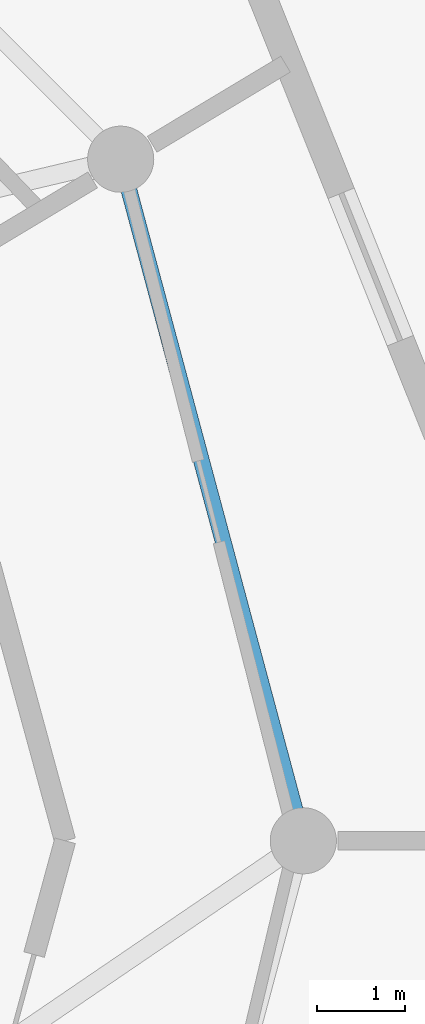
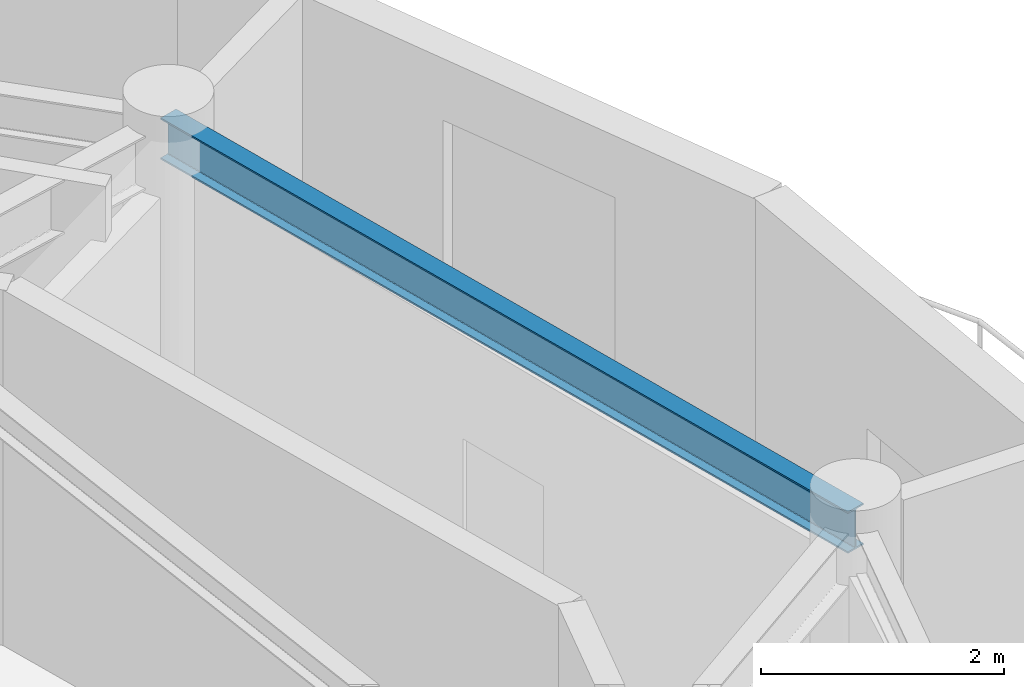
# One storey, part 13 of 22: 1 beam.
"""IFC4 building model written with IfcOpenShell, lengths in metres."""

import ifcopenshell
import ifcopenshell.guid

model = None  # the IFC model being written
_history = None  # IfcOwnerHistory: only IFC2X3 demands one
_inside = {}  # id of a spatial element -> (the spatial element, [elements in it])
_under = {}  # id of a project, library or spatial element -> (it, [spatial elements below it])
_declared = {}  # id of a project -> (the project, [libraries it declares])
_typed = {}  # id of a type object -> (the type object, [elements of that type])
_made_of = {}  # id of a material, layer set ... -> (it, [elements and type objects made of it])


def new_model(schema):
    """Start an empty IFC model of exactly this schema.

    Asked for "IFC4X3", IfcOpenShell would pick the latest addendum, in which some entities
    have other attributes; the version numbers below select the first issue.
    IFC2X3 requires an IfcOwnerHistory on every rooted entity: one is made here for all.
    """
    global model, _history
    if schema == "IFC4X3":
        model = ifcopenshell.file(schema_version=(4, 3, 0, 0))
    else:
        model = ifcopenshell.file(schema=schema)
    _inside.clear()
    _under.clear()
    _declared.clear()
    _typed.clear()
    _made_of.clear()
    _history = None
    if model.schema == "IFC2X3":
        org = make("IfcOrganization", Name="unknown")
        user = make(
            "IfcPersonAndOrganization",
            ThePerson=make("IfcPerson", FamilyName="unknown"),
            TheOrganization=org,
        )
        app = make(
            "IfcApplication",
            ApplicationDeveloper=org,
            Version="unknown",
            ApplicationFullName="unknown",
            ApplicationIdentifier="unknown",
        )
        _history = make(
            "IfcOwnerHistory",
            OwningUser=user,
            OwningApplication=app,
            ChangeAction="ADDED",
            CreationDate=0,
        )
    return model


def make(cls, **values):
    """One entity of the class cls with the attributes given. An attribute that is None is left unset."""
    return model.create_entity(
        cls, **{name: value for name, value in values.items() if value is not None}
    )


def rooted(cls, **values):
    """An entity with a GlobalId (a new one), such as an element, a storey or a relation."""
    return make(cls, GlobalId=ifcopenshell.guid.new(), OwnerHistory=_history, **values)


def si_unit(unit_type, name, prefix=None):
    """IfcSIUnit, for example si_unit("LENGTHUNIT", "METRE", prefix="MILLI")."""
    return make("IfcSIUnit", UnitType=unit_type, Prefix=prefix, Name=name)


def assignment(units):
    """IfcUnitAssignment: the units of a project."""
    return None if units is None else make("IfcUnitAssignment", Units=units)


def point(xyz):
    """IfcCartesianPoint."""
    return None if xyz is None else make("IfcCartesianPoint", Coordinates=xyz)


def direction(xyz):
    """IfcDirection."""
    return None if xyz is None else make("IfcDirection", DirectionRatios=xyz)


def frame(location, z_axis=None, x_axis=None):
    """IfcAxis2Placement3D, a coordinate frame: its origin and axes. An axis left out is left unset."""
    return make(
        "IfcAxis2Placement3D",
        Location=point(location),
        Axis=direction(z_axis),
        RefDirection=direction(x_axis),
    )


def frame_2d(location, x_axis=None):
    """IfcAxis2Placement2D, a coordinate frame in the plane: its origin and x axis."""
    return make(
        "IfcAxis2Placement2D", Location=point(location), RefDirection=direction(x_axis)
    )


def origin():
    """The frame at (0, 0, 0) with its axes left unset."""
    return frame((0.0, 0.0, 0.0))


def origin_2d():
    """The frame at (0, 0) in the plane with its x axis left unset."""
    return frame_2d((0.0, 0.0))


def place(relative_to, where):
    """IfcLocalPlacement: puts the frame where relative to a parent placement (None: the world)."""
    return make(
        "IfcLocalPlacement", PlacementRelTo=relative_to, RelativePlacement=where
    )


def context(
    kind, dimensions, precision=None, world=None, true_north=None, identifier=None
):
    """IfcGeometricRepresentationContext, for example the 3D "Model" context."""
    return make(
        "IfcGeometricRepresentationContext",
        ContextIdentifier=identifier,
        ContextType=kind,
        CoordinateSpaceDimension=dimensions,
        Precision=precision,
        WorldCoordinateSystem=world,
        TrueNorth=true_north,
    )


def subcontext(parent, identifier, kind, view, scale=None):
    """IfcGeometricRepresentationSubContext, for example "Body" below "Model"."""
    return make(
        "IfcGeometricRepresentationSubContext",
        ContextIdentifier=identifier,
        ContextType=kind,
        ParentContext=parent,
        TargetScale=scale,
        TargetView=view,
    )


def project(units=None, contexts=None):
    """IfcProject with its units and contexts."""
    return rooted(
        "IfcProject",
        Name="project",
        RepresentationContexts=contexts,
        UnitsInContext=assignment(units),
    )


def spatial(cls, under=None, at=None, **own):
    """A site, building, storey or space (cls), placed at a placement, below another one or the project."""
    s = rooted(cls, ObjectPlacement=at, **own)
    if under is not None:
        _under.setdefault(under.id(), (under, []))[1].append(s)
    return s


def profile(cls, at=None, kind="AREA", **sizes):
    """A parametric profile (cls). Its sizes go by their IFC names, for example OverallWidth=200.0."""
    return make(cls, ProfileType=kind, Position=at, **sizes)


def i_section(**sizes):
    """IfcIShapeProfileDef."""
    return profile("IfcIShapeProfileDef", **sizes)


def extrude(swept, where, along, depth):
    """IfcExtrudedAreaSolid: the profile swept, set in the frame where, extruded along a direction by depth."""
    return make(
        "IfcExtrudedAreaSolid",
        SweptArea=swept,
        Position=where,
        ExtrudedDirection=direction(along),
        Depth=depth,
    )


def shape(context_of_items, identifier, shape_type, items):
    """IfcShapeRepresentation: the items that make up one representation, for example the "Body"."""
    return make(
        "IfcShapeRepresentation",
        ContextOfItems=context_of_items,
        RepresentationIdentifier=identifier,
        RepresentationType=shape_type,
        Items=items,
    )


def material(Name=None, Category=None):
    """IfcMaterial."""
    return make("IfcMaterial", Name=Name, Category=Category)


def material_profile(
    of_material, cross_section, Name=None, Category=None, Priority=None
):
    """IfcMaterialProfile: a cross section and its material."""
    return make(
        "IfcMaterialProfile",
        Name=Name,
        Material=of_material,
        Profile=cross_section,
        Priority=Priority,
        Category=Category,
    )


def profile_set(profiles, Name=None, composite=None):
    """IfcMaterialProfileSet."""
    return make(
        "IfcMaterialProfileSet",
        Name=Name,
        MaterialProfiles=profiles,
        CompositeProfile=composite,
    )


def made_of(thing, what):
    """Note that an element or type object is made of a material, layer set ...; save() writes the relation."""
    if what is not None:
        _made_of.setdefault(what.id(), (what, []))[1].append(thing)
    return thing


def type_object(cls, material=None, **own):
    """A type object (cls), such as IfcWallType, which elements share."""
    return made_of(rooted(cls, **own), material)


def element(
    cls,
    number,
    at=None,
    inside=None,
    cuts=None,
    type_object=None,
    material=None,
    context=None,
    identifier="Body",
    shape_type=None,
    held_by="IfcProductDefinitionShape",
    body=None,
    shapes=None,
    **own,
):
    """One element of the class cls, such as IfcWall. Its Tag is "e" and its number.

    at: its placement. inside: the storey or other place that contains it. cuts: it is an
    opening in that element (IfcRelVoidsElement). A single representation is given by context,
    identifier, shape_type and body (its items); several are given by shapes. held_by: the class
    of the entity that holds the representations. save() writes the other relations.
    """
    e = rooted(cls, Tag="e%d" % number, ObjectPlacement=at, **own)
    if body is not None:
        shapes = [shape(context, identifier, shape_type, body)]
    if shapes is not None:
        e.Representation = make(held_by, Representations=shapes)
    if inside is not None:
        _inside.setdefault(inside.id(), (inside, []))[1].append(e)
    if cuts is not None:
        rooted(
            "IfcRelVoidsElement", RelatingBuildingElement=cuts, RelatedOpeningElement=e
        )
    if type_object is not None:
        _typed.setdefault(type_object.id(), (type_object, []))[1].append(e)
    return made_of(e, material)


def aggregate(whole, parts):
    """IfcRelAggregates: a whole, such as a stair, and the parts it consists of."""
    return rooted("IfcRelAggregates", RelatingObject=whole, RelatedObjects=parts)


def save(model, path):
    """Write the relations noted so far, then the file.

    IfcRelAggregates (storeys below a building ...), IfcRelContainedInSpatialStructure (elements
    in a storey), IfcRelDefinesByType, IfcRelAssociatesMaterial and IfcRelDeclares: one each for
    every whole, place, type object, material and project.
    """
    for whole, parts in _under.values():
        aggregate(whole, parts)
    for where, things in _inside.values():
        rooted(
            "IfcRelContainedInSpatialStructure",
            RelatedElements=things,
            RelatingStructure=where,
        )
    for kind, things in _typed.values():
        rooted("IfcRelDefinesByType", RelatedObjects=things, RelatingType=kind)
    for what, things in _made_of.values():
        rooted("IfcRelAssociatesMaterial", RelatedObjects=things, RelatingMaterial=what)
    for by, libraries in _declared.values():
        rooted("IfcRelDeclares", RelatingContext=by, RelatedDefinitions=libraries)
    model.write(path)


model = new_model("IFC4")

# Units and contexts
model_context = context("Model", 3, precision=1e-05, world=origin(), true_north=direction((0.0, 1.0)))
body_context = subcontext(model_context, "Body", "Model", "MODEL_VIEW")
ifc_project = project(units=[si_unit("LENGTHUNIT", "METRE"), si_unit("AREAUNIT", "SQUARE_METRE"), si_unit("VOLUMEUNIT", "CUBIC_METRE"), si_unit("PLANEANGLEUNIT", "RADIAN"), si_unit("MASSUNIT", "GRAM", prefix="KILO")], contexts=[model_context])

# Site, building, storey
site_placement = place(None, origin())
site = spatial("IfcSite", under=ifc_project, at=site_placement, CompositionType="ELEMENT")
building_placement = place(site_placement, origin())
building = spatial("IfcBuilding", under=site, at=building_placement, Name="Solvirekh Grand Hotel", CompositionType="ELEMENT")
storey_placement = place(building_placement, frame((0.0, 0.0, 239.199951171875)))
storey = spatial("IfcBuildingStorey", under=building, at=storey_placement, Name="L62", CompositionType="ELEMENT", Elevation=239.199951171875)

# Beam
ifc_material = material(Name="Steel S355", Category="steel")
ifc_material_profile = material_profile(ifc_material, i_section(OverallWidth=0.180908203125, OverallDepth=0.4169921875, WebThickness=0.010009765625, FlangeThickness=0.01611328125, FilletRadius=0.011962890625, at=origin_2d()), Name="W410X85")
ifc_profile_set = profile_set([ifc_material_profile], Name="Steel S355")
beam_type = type_object("IfcBeamType", Name="Spandrel_Ring_W410", PredefinedType="SPANDREL", material=ifc_profile_set)
beam_placement = place(storey_placement, frame((15.449951171875, 0.0, 3.362060546875), z_axis=(-0.258834757072, 0.965921616143, 0.0), x_axis=(-0.965921616143, -0.258834757072, 0.0)))
element("IfcBeam", 1, at=beam_placement, inside=storey, type_object=beam_type, Name="L62 perimeter spandrel beam 1", PredefinedType="SPANDREL", context=body_context, shape_type="SweptSolid", body=[
    extrude(i_section(OverallWidth=0.180908203125, OverallDepth=0.4169921875, WebThickness=0.010009765625, FlangeThickness=0.01611328125, FilletRadius=0.011962890625, at=origin_2d()), origin(), (0.0, 0.0, 1.0), 7.99755859375),
])

save(model, "model.ifc")
